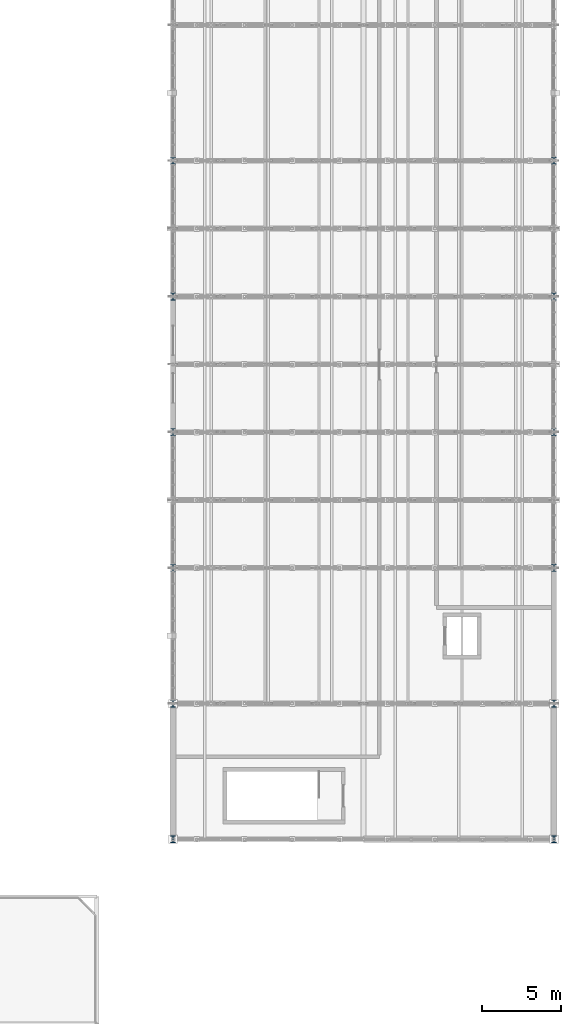
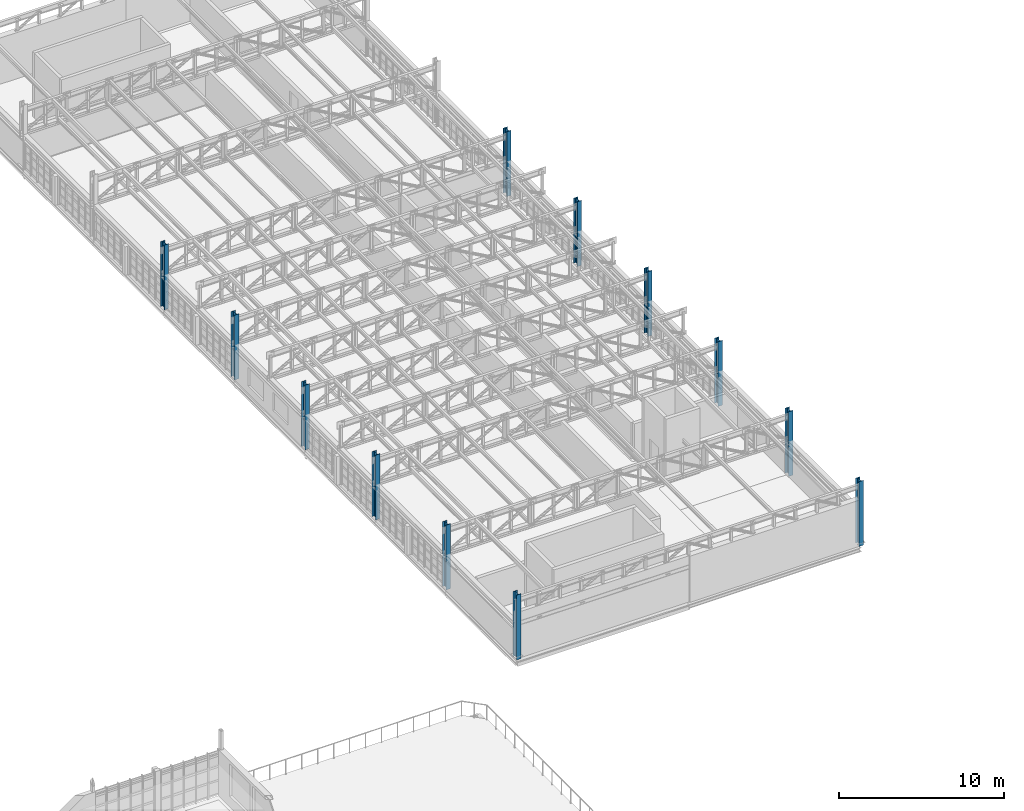
# One storey, part 9 of 128: 12 columns.
"""IFC4 building model written with IfcOpenShell, lengths in metres."""

import ifcopenshell
import ifcopenshell.guid

model = None  # the IFC model being written
_history = None  # IfcOwnerHistory: only IFC2X3 demands one
_inside = {}  # id of a spatial element -> (the spatial element, [elements in it])
_under = {}  # id of a project, library or spatial element -> (it, [spatial elements below it])
_declared = {}  # id of a project -> (the project, [libraries it declares])
_typed = {}  # id of a type object -> (the type object, [elements of that type])
_made_of = {}  # id of a material, layer set ... -> (it, [elements and type objects made of it])


def new_model(schema):
    """Start an empty IFC model of exactly this schema.

    Asked for "IFC4X3", IfcOpenShell would pick the latest addendum, in which some entities
    have other attributes; the version numbers below select the first issue.
    IFC2X3 requires an IfcOwnerHistory on every rooted entity: one is made here for all.
    """
    global model, _history
    if schema == "IFC4X3":
        model = ifcopenshell.file(schema_version=(4, 3, 0, 0))
    else:
        model = ifcopenshell.file(schema=schema)
    _inside.clear()
    _under.clear()
    _declared.clear()
    _typed.clear()
    _made_of.clear()
    _history = None
    if model.schema == "IFC2X3":
        org = make("IfcOrganization", Name="unknown")
        user = make(
            "IfcPersonAndOrganization",
            ThePerson=make("IfcPerson", FamilyName="unknown"),
            TheOrganization=org,
        )
        app = make(
            "IfcApplication",
            ApplicationDeveloper=org,
            Version="unknown",
            ApplicationFullName="unknown",
            ApplicationIdentifier="unknown",
        )
        _history = make(
            "IfcOwnerHistory",
            OwningUser=user,
            OwningApplication=app,
            ChangeAction="ADDED",
            CreationDate=0,
        )
    return model


def make(cls, **values):
    """One entity of the class cls with the attributes given. An attribute that is None is left unset."""
    return model.create_entity(
        cls, **{name: value for name, value in values.items() if value is not None}
    )


def rooted(cls, **values):
    """An entity with a GlobalId (a new one), such as an element, a storey or a relation."""
    return make(cls, GlobalId=ifcopenshell.guid.new(), OwnerHistory=_history, **values)


def si_unit(unit_type, name, prefix=None):
    """IfcSIUnit, for example si_unit("LENGTHUNIT", "METRE", prefix="MILLI")."""
    return make("IfcSIUnit", UnitType=unit_type, Prefix=prefix, Name=name)


def assignment(units):
    """IfcUnitAssignment: the units of a project."""
    return None if units is None else make("IfcUnitAssignment", Units=units)


def point(xyz):
    """IfcCartesianPoint."""
    return None if xyz is None else make("IfcCartesianPoint", Coordinates=xyz)


def direction(xyz):
    """IfcDirection."""
    return None if xyz is None else make("IfcDirection", DirectionRatios=xyz)


def frame(location, z_axis=None, x_axis=None):
    """IfcAxis2Placement3D, a coordinate frame: its origin and axes. An axis left out is left unset."""
    return make(
        "IfcAxis2Placement3D",
        Location=point(location),
        Axis=direction(z_axis),
        RefDirection=direction(x_axis),
    )


def frame_2d(location, x_axis=None):
    """IfcAxis2Placement2D, a coordinate frame in the plane: its origin and x axis."""
    return make(
        "IfcAxis2Placement2D", Location=point(location), RefDirection=direction(x_axis)
    )


def origin():
    """The frame at (0, 0, 0) with its axes left unset."""
    return frame((0.0, 0.0, 0.0))


def origin_2d():
    """The frame at (0, 0) in the plane with its x axis left unset."""
    return frame_2d((0.0, 0.0))


def place(relative_to, where):
    """IfcLocalPlacement: puts the frame where relative to a parent placement (None: the world)."""
    return make(
        "IfcLocalPlacement", PlacementRelTo=relative_to, RelativePlacement=where
    )


def context(
    kind, dimensions, precision=None, world=None, true_north=None, identifier=None
):
    """IfcGeometricRepresentationContext, for example the 3D "Model" context."""
    return make(
        "IfcGeometricRepresentationContext",
        ContextIdentifier=identifier,
        ContextType=kind,
        CoordinateSpaceDimension=dimensions,
        Precision=precision,
        WorldCoordinateSystem=world,
        TrueNorth=true_north,
    )


def subcontext(parent, identifier, kind, view, scale=None):
    """IfcGeometricRepresentationSubContext, for example "Body" below "Model"."""
    return make(
        "IfcGeometricRepresentationSubContext",
        ContextIdentifier=identifier,
        ContextType=kind,
        ParentContext=parent,
        TargetScale=scale,
        TargetView=view,
    )


def project(units=None, contexts=None):
    """IfcProject with its units and contexts."""
    return rooted(
        "IfcProject",
        Name="project",
        RepresentationContexts=contexts,
        UnitsInContext=assignment(units),
    )


def spatial(cls, under=None, at=None, **own):
    """A site, building, storey or space (cls), placed at a placement, below another one or the project."""
    s = rooted(cls, ObjectPlacement=at, **own)
    if under is not None:
        _under.setdefault(under.id(), (under, []))[1].append(s)
    return s


def profile(cls, at=None, kind="AREA", **sizes):
    """A parametric profile (cls). Its sizes go by their IFC names, for example OverallWidth=200.0."""
    return make(cls, ProfileType=kind, Position=at, **sizes)


def i_section(**sizes):
    """IfcIShapeProfileDef."""
    return profile("IfcIShapeProfileDef", **sizes)


def extrude(swept, where, along, depth):
    """IfcExtrudedAreaSolid: the profile swept, set in the frame where, extruded along a direction by depth."""
    return make(
        "IfcExtrudedAreaSolid",
        SweptArea=swept,
        Position=where,
        ExtrudedDirection=direction(along),
        Depth=depth,
    )


def shape(context_of_items, identifier, shape_type, items):
    """IfcShapeRepresentation: the items that make up one representation, for example the "Body"."""
    return make(
        "IfcShapeRepresentation",
        ContextOfItems=context_of_items,
        RepresentationIdentifier=identifier,
        RepresentationType=shape_type,
        Items=items,
    )


def material(Name=None, Category=None):
    """IfcMaterial."""
    return make("IfcMaterial", Name=Name, Category=Category)


def material_profile(
    of_material, cross_section, Name=None, Category=None, Priority=None
):
    """IfcMaterialProfile: a cross section and its material."""
    return make(
        "IfcMaterialProfile",
        Name=Name,
        Material=of_material,
        Profile=cross_section,
        Priority=Priority,
        Category=Category,
    )


def profile_set(profiles, Name=None, composite=None):
    """IfcMaterialProfileSet."""
    return make(
        "IfcMaterialProfileSet",
        Name=Name,
        MaterialProfiles=profiles,
        CompositeProfile=composite,
    )


def made_of(thing, what):
    """Note that an element or type object is made of a material, layer set ...; save() writes the relation."""
    if what is not None:
        _made_of.setdefault(what.id(), (what, []))[1].append(thing)
    return thing


def type_object(cls, material=None, **own):
    """A type object (cls), such as IfcWallType, which elements share."""
    return made_of(rooted(cls, **own), material)


def element(
    cls,
    number,
    at=None,
    inside=None,
    cuts=None,
    type_object=None,
    material=None,
    context=None,
    identifier="Body",
    shape_type=None,
    held_by="IfcProductDefinitionShape",
    body=None,
    shapes=None,
    **own,
):
    """One element of the class cls, such as IfcWall. Its Tag is "e" and its number.

    at: its placement. inside: the storey or other place that contains it. cuts: it is an
    opening in that element (IfcRelVoidsElement). A single representation is given by context,
    identifier, shape_type and body (its items); several are given by shapes. held_by: the class
    of the entity that holds the representations. save() writes the other relations.
    """
    e = rooted(cls, Tag="e%d" % number, ObjectPlacement=at, **own)
    if body is not None:
        shapes = [shape(context, identifier, shape_type, body)]
    if shapes is not None:
        e.Representation = make(held_by, Representations=shapes)
    if inside is not None:
        _inside.setdefault(inside.id(), (inside, []))[1].append(e)
    if cuts is not None:
        rooted(
            "IfcRelVoidsElement", RelatingBuildingElement=cuts, RelatedOpeningElement=e
        )
    if type_object is not None:
        _typed.setdefault(type_object.id(), (type_object, []))[1].append(e)
    return made_of(e, material)


def aggregate(whole, parts):
    """IfcRelAggregates: a whole, such as a stair, and the parts it consists of."""
    return rooted("IfcRelAggregates", RelatingObject=whole, RelatedObjects=parts)


def save(model, path):
    """Write the relations noted so far, then the file.

    IfcRelAggregates (storeys below a building ...), IfcRelContainedInSpatialStructure (elements
    in a storey), IfcRelDefinesByType, IfcRelAssociatesMaterial and IfcRelDeclares: one each for
    every whole, place, type object, material and project.
    """
    for whole, parts in _under.values():
        aggregate(whole, parts)
    for where, things in _inside.values():
        rooted(
            "IfcRelContainedInSpatialStructure",
            RelatedElements=things,
            RelatingStructure=where,
        )
    for kind, things in _typed.values():
        rooted("IfcRelDefinesByType", RelatedObjects=things, RelatingType=kind)
    for what, things in _made_of.values():
        rooted("IfcRelAssociatesMaterial", RelatedObjects=things, RelatingMaterial=what)
    for by, libraries in _declared.values():
        rooted("IfcRelDeclares", RelatingContext=by, RelatedDefinitions=libraries)
    model.write(path)


model = new_model("IFC4")

# Units and contexts
model_context = context("Model", 3, precision=1e-05, world=origin(), true_north=direction((0.0, 1.0)))
body_context = subcontext(model_context, "Body", "Model", "MODEL_VIEW")
ifc_project = project(units=[si_unit("LENGTHUNIT", "METRE"), si_unit("AREAUNIT", "SQUARE_METRE"), si_unit("VOLUMEUNIT", "CUBIC_METRE"), si_unit("PLANEANGLEUNIT", "RADIAN"), si_unit("MASSUNIT", "GRAM", prefix="KILO")], contexts=[model_context])

# Site, building, storey
site_placement = place(None, origin())
site = spatial("IfcSite", under=ifc_project, at=site_placement, CompositionType="ELEMENT")
building_placement = place(site_placement, origin())
building = spatial("IfcBuilding", under=site, at=building_placement, Name="Serraforn Aerial Cableway Station", CompositionType="ELEMENT")
storey_placement = place(building_placement, frame((0.0, 0.0, 9.0)))
storey = spatial("IfcBuildingStorey", under=building, at=storey_placement, Name="L02", CompositionType="ELEMENT", Elevation=9.0)

# Columns
ifc_material = material(Name="Steel S355J2", Category="steel")
ifc_material_profile = material_profile(ifc_material, i_section(OverallWidth=0.300048828125, OverallDepth=0.449951171875, WebThickness=0.013916015625, FlangeThickness=0.02587890625, FilletRadius=0.027099609375, at=origin_2d()), Name="HEB 450")
ifc_profile_set = profile_set([ifc_material_profile], Name="Steel S355J2")
column_type = type_object("IfcColumnType", Name="COL-ST-HEB450", PredefinedType="COLUMN", material=ifc_profile_set)
for number, where, z_axis, x_axis, name in (
    (1, (144.0, 45.60009765625, 0.0), (0.0, 0.0, 1.0), (1.0, 0.0, 0.0), "Column EG L02 19-F2"),
    (2, (144.0, 54.14990234375, 0.0), (0.0, 0.0, 1.0), (1.0, 0.0, 0.0), "Column EG L02 19-G"),
    (3, (144.0, 62.699951171875, 0.0), (0.0, 0.0, 1.0), (1.0, 0.0, 0.0), "Column EG L02 19-H"),
    (4, (144.0, 71.25, 0.0), (0.0, 0.0, 1.0), (1.0, 0.0, 0.0), "Column EG L02 19-J"),
    (5, (144.0, 79.800048828125, 0.0), (0.0, 0.0, 1.0), (1.0, 0.0, 0.0), "Column EG L02 19-K"),
    (6, (144.0, 88.35009765625, 0.0), (0.0, 0.0, 1.0), (1.0, 0.0, 0.0), "Column EG L02 19-L"),
    (7, (168.0, 45.60009765625, 0.0), (0.0, 0.0, 1.0), (1.0, 0.0, 0.0), "Column EG L02 22-F2"),
    (8, (168.0, 54.14990234375, 0.0), (0.0, 0.0, 1.0), (1.0, 0.0, 0.0), "Column EG L02 22-G"),
    (9, (168.0, 62.699951171875, 0.0), (0.0, 0.0, 1.0), (1.0, 0.0, 0.0), "Column EG L02 22-H"),
    (10, (168.0, 71.25, 0.0), (0.0, 0.0, 1.0), (1.0, 0.0, 0.0), "Column EG L02 22-J"),
    (11, (168.0, 79.800048828125, 0.0), (0.0, 0.0, 1.0), (1.0, 0.0, 0.0), "Column EG L02 22-K"),
    (12, (168.0, 88.35009765625, 0.0), (0.0, 0.0, 1.0), (1.0, 0.0, 0.0), "Column EG L02 22-L"),
):
    element("IfcColumn", number, at=place(storey_placement, frame(where, z_axis=z_axis, x_axis=x_axis)), inside=storey, type_object=column_type, Name=name, PredefinedType="COLUMN", context=body_context, shape_type="SweptSolid", body=[
        extrude(i_section(OverallWidth=0.300048828125, OverallDepth=0.449951171875, WebThickness=0.013916015625, FlangeThickness=0.02587890625, FilletRadius=0.027099609375, at=origin_2d()), origin(), (0.0, 0.0, 1.0), 4.800048828125),
    ])

save(model, "model.ifc")
